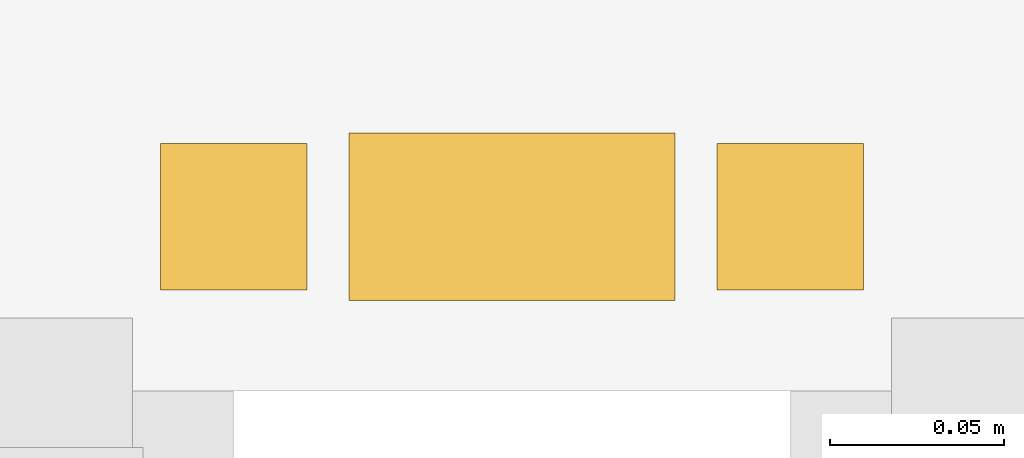
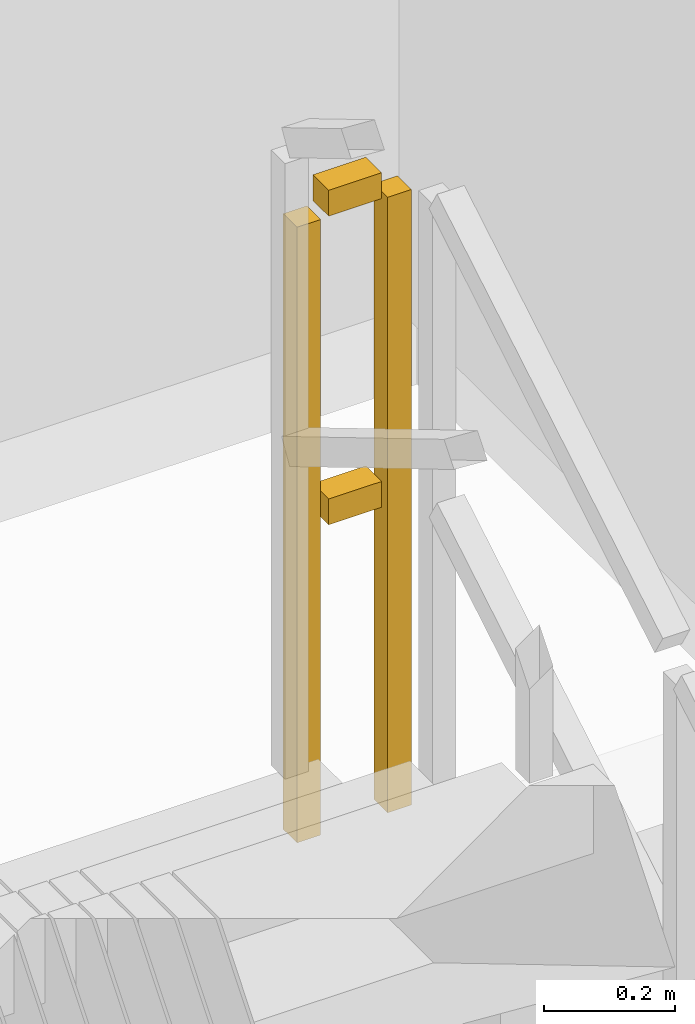
# One storey, part 13 of 13: 1 railing.
"""IFC4 building model written with IfcOpenShell, lengths in metres."""

from ifc_helpers import new_model, si_unit, direction, frame, origin, origin_2d, place, context, subcontext, project, spatial, rectangle, extrude, material, type_object, element, save


model = new_model("IFC4")

# Units and contexts
model_context = context("Model", 3, precision=1e-05, world=origin(), true_north=direction((0.0, 1.0)))
body_context = subcontext(model_context, "Body", "Model", "MODEL_VIEW")
ifc_project = project(units=[si_unit("LENGTHUNIT", "METRE"), si_unit("AREAUNIT", "SQUARE_METRE"), si_unit("VOLUMEUNIT", "CUBIC_METRE"), si_unit("PLANEANGLEUNIT", "RADIAN"), si_unit("MASSUNIT", "GRAM", prefix="KILO")], contexts=[model_context])

# Site, building, storey
site_placement = place(None, origin())
site = spatial("IfcSite", under=ifc_project, at=site_placement, CompositionType="ELEMENT")
building_placement = place(site_placement, origin())
building = spatial("IfcBuilding", under=site, at=building_placement, Name="Saelheon Loggia Tower", CompositionType="ELEMENT")
storey_placement = place(building_placement, frame((0.0, 0.0, 104.85009765625)))
storey = spatial("IfcBuildingStorey", under=building, at=storey_placement, Name="L33", CompositionType="ELEMENT", Elevation=104.85009765625)

# Railing
ifc_material = material(Name="Galvanised Steel S275 Stairwell Guardrail", Category="steel")
railing_type = type_object("IfcRailingType", Name="Guard_StairWell_RL_STG", PredefinedType="GUARDRAIL", material=ifc_material)
railing_placement = place(storey_placement, frame((42.489990234375, 32.739990234375, 1.5)))
element("IfcRailing", 1, at=railing_placement, inside=storey, type_object=railing_type, Name="L33 ST2 stair guard 2", PredefinedType="GUARDRAIL", context=body_context, shape_type="SweptSolid", body=[
    extrude(rectangle(XDim=0.048095703125, YDim=0.048095703125, at=origin_2d()), frame((-0.033203125, 0.0, 1.17578125), z_axis=(-1.0, 0.0, 0.0), x_axis=(0.0, -1.0, 0.0)), (0.0, 0.0, 1.0), 0.093505859375),
    extrude(rectangle(XDim=0.048095703125, YDim=0.048095703125, at=origin_2d()), frame((-0.033203125, 0.0, 0.60009765625), z_axis=(-1.0, 0.0, 0.0), x_axis=(0.0, -1.0, 0.0)), (0.0, 0.0, 1.0), 0.093505859375),
    extrude(rectangle(XDim=0.0419921875, YDim=0.0419921875, at=origin_2d()), origin(), (0.0, 0.0, 1.0), 1.14794921875),
    extrude(rectangle(XDim=0.0419921875, YDim=0.0419921875, at=origin_2d()), frame((-0.159912109375, 0.0, 0.0)), (0.0, 0.0, 1.0), 1.14794921875),
])

save(model, "model.ifc")
